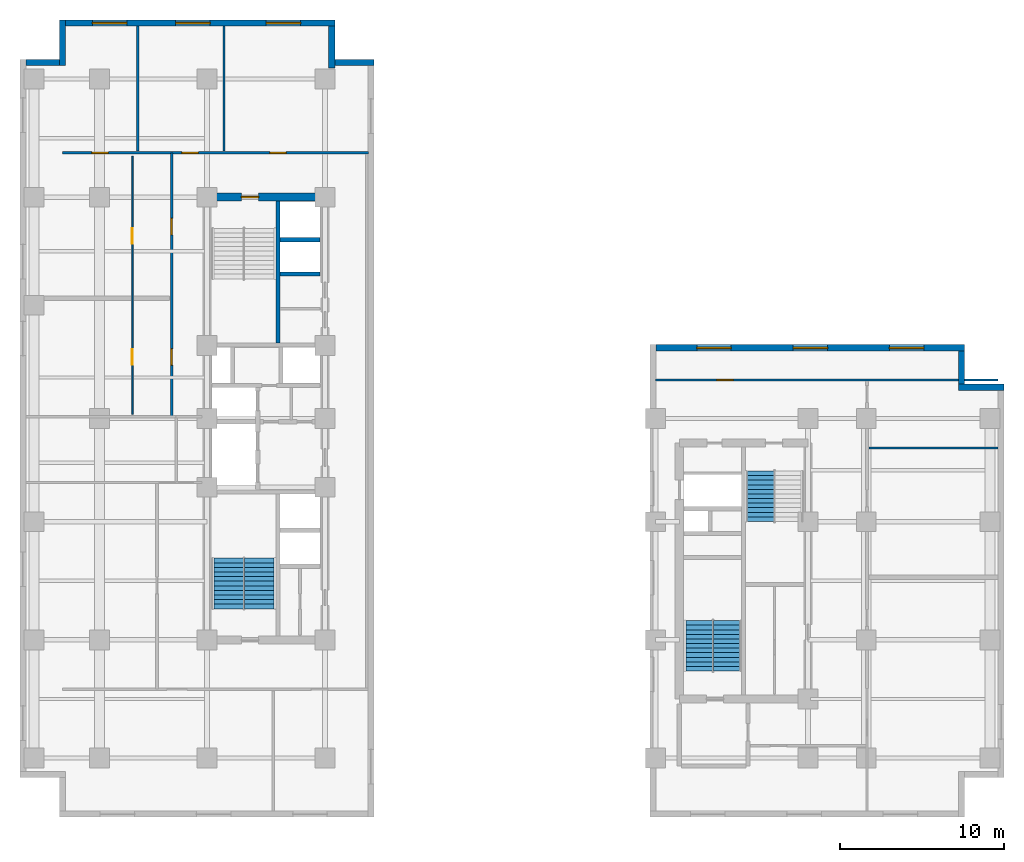
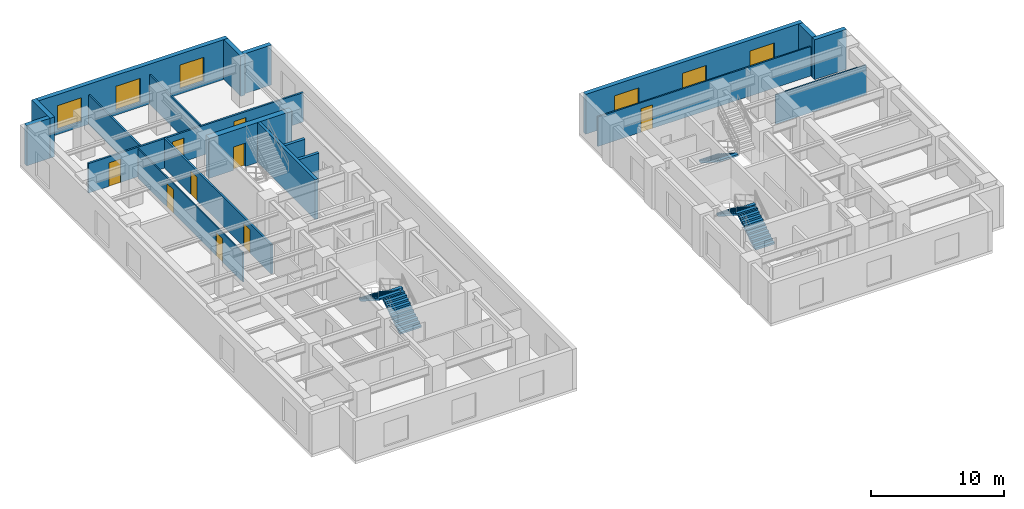
# One storey, part 5 of 9: 19 walls, 9 doors, 6 windows, 5 stair flights, 15 openings, 3 elements without a shape of their own.
"""IFC4 building model written with IfcOpenShell, lengths in metres."""

from ifc_helpers import new_model, entity, si_unit, converted_unit, direction, frame, origin_with_axes, origin_2d_with_axis, place, context, subcontext, project, spatial, polyline, rectangle, outline, extrude, material, layer, layer_set, type_object, element, fill, aggregate, save


model = new_model("IFC4")

# Units and contexts
model_context = context("Model", 3, precision=1e-05, world=origin_with_axes(), true_north=direction((0.0, 1.0)))
body_context = subcontext(model_context, "Body", "Model", "MODEL_VIEW")
ifc_project = project(units=[si_unit("LENGTHUNIT", "METRE"), si_unit("AREAUNIT", "SQUARE_METRE"), si_unit("VOLUMEUNIT", "CUBIC_METRE"), converted_unit("PLANEANGLEUNIT", "DEGREE", entity("IfcPlaneAngleMeasure", 0.017453292519943295), si_unit("PLANEANGLEUNIT", "RADIAN"), dimensions=[0, 0, 0, 0, 0, 0, 0]), si_unit("MASSUNIT", "GRAM", prefix="KILO"), si_unit("THERMODYNAMICTEMPERATUREUNIT", "KELVIN")], contexts=[model_context])

# Site, building, storey
site_placement = place(None, origin_with_axes())
site = spatial("IfcSite", under=ifc_project, at=site_placement, CompositionType="ELEMENT")
building_placement = place(site_placement, origin_with_axes())
building = spatial("IfcBuilding", under=site, at=building_placement, Name="Varnlund Millrace Tower", CompositionType="ELEMENT")
storey_placement = place(building_placement, frame((0.0, 0.0, 108.6), z_axis=(0.0, 0.0, 1.0), x_axis=(1.0, 0.0, 0.0)))
storey = spatial("IfcBuildingStorey", under=building, at=storey_placement, Name="L26", CompositionType="ELEMENT", Elevation=108.6)

# Wall, opening, door
ifc_material_1 = material(Name="Concrete C70/85", Category="concrete")
ifc_layer_1 = layer(ifc_material_1, 0.5, Name="Concrete C70/85")
ifc_layer_set_1 = layer_set([ifc_layer_1], Name="Concrete C70/85")
wall_type_1 = type_object("IfcWallType", Name="Type-CoreWall-Shear-500-C70", PredefinedType="SHEAR", material=ifc_layer_set_1)
wall_1_placement = place(storey_placement, frame((11.4, 37.8, 0.0), z_axis=(0.0, 0.0, 1.0), x_axis=(1.0, 0.0, 0.0)))
wall_1 = element("IfcWall", 1, at=wall_1_placement, inside=storey, type_object=wall_type_1, Name="Type-CoreWall-Shear-500-C70", PredefinedType="SHEAR", context=body_context, shape_type="SweptSolid", body=[
    extrude(outline(polyline([(0.0, -0.25), (7.2, -0.25), (7.2, 0.25), (0.0, 0.25), (0.0, -0.25)])), origin_with_axes(), (0.0, 0.0, 1.0), 3.66),
])
opening_1_placement = place(wall_1_placement, frame((2.625, 0.0, 0.0), z_axis=(0.0, 0.0, 1.0), x_axis=(1.0, 0.0, 0.0)))
opening_1 = element("IfcOpeningElement", 2, at=opening_1_placement, cuts=wall_1, Name="Opening L26:DR-STA2", PredefinedType="OPENING", context=body_context, shape_type="SweptSolid", body=[
    extrude(rectangle(XDim=1.05, YDim=0.52, at=origin_2d_with_axis()), origin_with_axes(), (0.0, 0.0, 1.0), 2.15),
])
ifc_material_2 = material(Name="Fire-rated hollow steel door", Category="steel")
door_type_1 = type_object("IfcDoorType", Name="Type-FireDoor-Stair-1050X2150", OperationType="NOTDEFINED", PredefinedType="DOOR", material=ifc_material_2)
door_1_placement = place(wall_1_placement, frame((2.625, 0.0, 0.0), z_axis=(0.0, 0.0, 1.0), x_axis=(1.0, 0.0, 0.0)))
door_1 = element("IfcDoor", 3, at=door_1_placement, inside=storey, type_object=door_type_1, Name="Type-FireDoor-Stair-1050X2150", OperationType="SINGLE_SWING_RIGHT", OverallHeight=2.15, OverallWidth=1.05, PredefinedType="DOOR", context=body_context, shape_type="SweptSolid", body=[
    extrude(rectangle(XDim=1.05, YDim=0.09, at=origin_2d_with_axis()), origin_with_axes(), (0.0, 0.0, 1.0), 2.15),
])
fill(opening_1, door_1)

# Walls
ifc_material_3 = material(Name="Precast concrete C50/60", Category="concrete")
ifc_layer_2 = layer(ifc_material_3, 0.38, Name="Precast concrete C50/60")
ifc_layer_set_2 = layer_set([ifc_layer_2], Name="Precast concrete C50/60")
wall_type_2 = type_object("IfcWallType", Name="Type-ExtWall-Precast-Tube-380", PredefinedType="SOLIDWALL", material=ifc_layer_set_2)
wall_2_placement = place(storey_placement, frame((0.38, 46.01, 0.0), z_axis=(0.0, 0.0, 1.0), x_axis=(1.0, 0.0, 0.0)))
element("IfcWall", 4, at=wall_2_placement, inside=storey, type_object=wall_type_2, Name="Type-ExtWall-Precast-Tube-380", PredefinedType="SOLIDWALL", context=body_context, shape_type="SweptSolid", body=[
    extrude(outline(polyline([(0.0, -0.19), (2.02, -0.19), (2.02, 0.19), (0.0, 0.19), (0.0, -0.19)])), origin_with_axes(), (0.0, 0.0, 1.0), 3.66),
])
wall_3_placement = place(storey_placement, frame((2.59, 45.82, 0.0), z_axis=(0.0, 0.0, 1.0), x_axis=(0.0, 1.0, 0.0)))
element("IfcWall", 5, at=wall_3_placement, inside=storey, type_object=wall_type_2, Name="Type-ExtWall-Precast-Tube-380", PredefinedType="SOLIDWALL", context=body_context, shape_type="SweptSolid", body=[
    extrude(outline(polyline([(0.0, -0.19), (2.78, -0.19), (2.78, 0.19), (0.0, 0.19), (0.0, -0.19)])), origin_with_axes(), (0.0, 0.0, 1.0), 3.66),
])

# Wall, openings, windows
wall_4_placement = place(storey_placement, frame((2.78, 48.41, 0.0), z_axis=(0.0, 0.0, 1.0), x_axis=(1.0, 0.0, 0.0)))
wall_4 = element("IfcWall", 6, at=wall_4_placement, inside=storey, type_object=wall_type_2, Name="Type-ExtWall-Precast-Tube-380", PredefinedType="SOLIDWALL", context=body_context, shape_type="SweptSolid", body=[
    extrude(outline(polyline([(0.0, -0.19), (16.42, -0.19), (16.42, 0.19), (0.0, 0.19), (0.0, -0.19)])), origin_with_axes(), (0.0, 0.0, 1.0), 3.66),
])
opening_2_placement = place(wall_4_placement, frame((2.687, 0.0, 0.45), z_axis=(0.0, 0.0, 1.0), x_axis=(1.0, 0.0, 0.0)))
opening_2 = element("IfcOpeningElement", 7, at=opening_2_placement, cuts=wall_4, Name="Opening L26:WN-06", PredefinedType="OPENING", context=body_context, shape_type="SweptSolid", body=[
    extrude(rectangle(XDim=2.1, YDim=0.4, at=origin_2d_with_axis()), origin_with_axes(), (0.0, 0.0, 1.0), 2.2),
])
opening_3_placement = place(wall_4_placement, frame((7.76, 0.0, 0.45), z_axis=(0.0, 0.0, 1.0), x_axis=(1.0, 0.0, 0.0)))
opening_3 = element("IfcOpeningElement", 8, at=opening_3_placement, cuts=wall_4, Name="Opening L26:WN-07", PredefinedType="OPENING", context=body_context, shape_type="SweptSolid", body=[
    extrude(rectangle(XDim=2.1, YDim=0.4, at=origin_2d_with_axis()), origin_with_axes(), (0.0, 0.0, 1.0), 2.2),
])
opening_4_placement = place(wall_4_placement, frame((13.283, 0.0, 0.45), z_axis=(0.0, 0.0, 1.0), x_axis=(1.0, 0.0, 0.0)))
opening_4 = element("IfcOpeningElement", 9, at=opening_4_placement, cuts=wall_4, Name="Opening L26:WN-08", PredefinedType="OPENING", context=body_context, shape_type="SweptSolid", body=[
    extrude(rectangle(XDim=2.1, YDim=0.4, at=origin_2d_with_axis()), origin_with_axes(), (0.0, 0.0, 1.0), 2.2),
])
ifc_material_4 = material(Name="Argon low-e triple glazing in thermally broken bronze frame", Category="glass")
window_type = type_object("IfcWindowType", Name="Type-Window-Punched-2100X2200", PartitioningType="SINGLE_PANEL", PredefinedType="WINDOW", material=ifc_material_4)
window_1_placement = place(wall_4_placement, frame((2.687, 0.0, 0.45), z_axis=(0.0, 0.0, 1.0), x_axis=(1.0, 0.0, 0.0)))
window_1 = element("IfcWindow", 10, at=window_1_placement, inside=storey, type_object=window_type, Name="Type-Window-Punched-2100X2200", OverallHeight=2.2, OverallWidth=2.1, PredefinedType="WINDOW", context=body_context, shape_type="SweptSolid", body=[
    extrude(rectangle(XDim=2.1, YDim=0.09, at=origin_2d_with_axis()), origin_with_axes(), (0.0, 0.0, 1.0), 2.2),
])
fill(opening_2, window_1)
window_2_placement = place(wall_4_placement, frame((7.76, 0.0, 0.45), z_axis=(0.0, 0.0, 1.0), x_axis=(1.0, 0.0, 0.0)))
window_2 = element("IfcWindow", 11, at=window_2_placement, inside=storey, type_object=window_type, Name="Type-Window-Punched-2100X2200", OverallHeight=2.2, OverallWidth=2.1, PredefinedType="WINDOW", context=body_context, shape_type="SweptSolid", body=[
    extrude(rectangle(XDim=2.1, YDim=0.09, at=origin_2d_with_axis()), origin_with_axes(), (0.0, 0.0, 1.0), 2.2),
])
fill(opening_3, window_2)
window_3_placement = place(wall_4_placement, frame((13.283, 0.0, 0.45), z_axis=(0.0, 0.0, 1.0), x_axis=(1.0, 0.0, 0.0)))
window_3 = element("IfcWindow", 12, at=window_3_placement, inside=storey, type_object=window_type, Name="Type-Window-Punched-2100X2200", OverallHeight=2.2, OverallWidth=2.1, PredefinedType="WINDOW", context=body_context, shape_type="SweptSolid", body=[
    extrude(rectangle(XDim=2.1, YDim=0.09, at=origin_2d_with_axis()), origin_with_axes(), (0.0, 0.0, 1.0), 2.2),
])
fill(opening_4, window_3)

# Walls
wall_5_placement = place(storey_placement, frame((19.01, 48.22, 0.0), z_axis=(0.0, 0.0, 1.0), x_axis=(0.0, -1.0, 0.0)))
element("IfcWall", 13, at=wall_5_placement, inside=storey, type_object=wall_type_2, Name="Type-ExtWall-Precast-Tube-380", PredefinedType="SOLIDWALL", context=body_context, shape_type="SweptSolid", body=[
    extrude(outline(polyline([(0.0, -0.19), (2.56, -0.19), (2.56, 0.19), (0.0, 0.19), (0.0, -0.19)])), origin_with_axes(), (0.0, 0.0, 1.0), 3.66),
])
wall_6_placement = place(storey_placement, frame((18.82, 46.01, 0.0), z_axis=(0.0, 0.0, 1.0), x_axis=(1.0, 0.0, 0.0)))
element("IfcWall", 14, at=wall_6_placement, inside=storey, type_object=wall_type_2, Name="Type-ExtWall-Precast-Tube-380", PredefinedType="SOLIDWALL", context=body_context, shape_type="SweptSolid", body=[
    extrude(outline(polyline([(0.0, -0.19), (2.78, -0.19), (2.78, 0.19), (0.0, 0.19), (0.0, -0.19)])), origin_with_axes(), (0.0, 0.0, 1.0), 3.66),
])

# Wall, openings, windows
wall_7_placement = place(storey_placement, frame((38.78, 28.61, 0.0), z_axis=(0.0, 0.0, 1.0), x_axis=(1.0, 0.0, 0.0)))
wall_7 = element("IfcWall", 15, at=wall_7_placement, inside=storey, type_object=wall_type_2, Name="Type-ExtWall-Precast-Tube-380", PredefinedType="SOLIDWALL", context=body_context, shape_type="SweptSolid", body=[
    extrude(outline(polyline([(0.0, -0.19), (18.82, -0.19), (18.82, 0.19), (0.0, 0.19), (0.0, -0.19)])), origin_with_axes(), (0.0, 0.0, 1.0), 3.66),
])
opening_5_placement = place(wall_7_placement, frame((3.537, 0.0, 0.45), z_axis=(0.0, 0.0, 1.0), x_axis=(1.0, 0.0, 0.0)))
opening_5 = element("IfcOpeningElement", 16, at=opening_5_placement, cuts=wall_7, Name="Opening L26:WN-14", PredefinedType="OPENING", context=body_context, shape_type="SweptSolid", body=[
    extrude(rectangle(XDim=2.1, YDim=0.4, at=origin_2d_with_axis()), origin_with_axes(), (0.0, 0.0, 1.0), 2.2),
])
opening_6_placement = place(wall_7_placement, frame((9.41, 0.0, 0.45), z_axis=(0.0, 0.0, 1.0), x_axis=(1.0, 0.0, 0.0)))
opening_6 = element("IfcOpeningElement", 17, at=opening_6_placement, cuts=wall_7, Name="Opening L26:WN-15", PredefinedType="OPENING", context=body_context, shape_type="SweptSolid", body=[
    extrude(rectangle(XDim=2.1, YDim=0.4, at=origin_2d_with_axis()), origin_with_axes(), (0.0, 0.0, 1.0), 2.2),
])
opening_7_placement = place(wall_7_placement, frame((15.283, 0.0, 0.45), z_axis=(0.0, 0.0, 1.0), x_axis=(1.0, 0.0, 0.0)))
opening_7 = element("IfcOpeningElement", 18, at=opening_7_placement, cuts=wall_7, Name="Opening L26:WN-16", PredefinedType="OPENING", context=body_context, shape_type="SweptSolid", body=[
    extrude(rectangle(XDim=2.1, YDim=0.4, at=origin_2d_with_axis()), origin_with_axes(), (0.0, 0.0, 1.0), 2.2),
])
window_4_placement = place(wall_7_placement, frame((3.537, 0.0, 0.45), z_axis=(0.0, 0.0, 1.0), x_axis=(1.0, 0.0, 0.0)))
window_4 = element("IfcWindow", 19, at=window_4_placement, inside=storey, type_object=window_type, Name="Type-Window-Punched-2100X2200", OverallHeight=2.2, OverallWidth=2.1, PredefinedType="WINDOW", context=body_context, shape_type="SweptSolid", body=[
    extrude(rectangle(XDim=2.1, YDim=0.09, at=origin_2d_with_axis()), origin_with_axes(), (0.0, 0.0, 1.0), 2.2),
])
fill(opening_5, window_4)
window_5_placement = place(wall_7_placement, frame((9.41, 0.0, 0.45), z_axis=(0.0, 0.0, 1.0), x_axis=(1.0, 0.0, 0.0)))
window_5 = element("IfcWindow", 20, at=window_5_placement, inside=storey, type_object=window_type, Name="Type-Window-Punched-2100X2200", OverallHeight=2.2, OverallWidth=2.1, PredefinedType="WINDOW", context=body_context, shape_type="SweptSolid", body=[
    extrude(rectangle(XDim=2.1, YDim=0.09, at=origin_2d_with_axis()), origin_with_axes(), (0.0, 0.0, 1.0), 2.2),
])
fill(opening_6, window_5)
window_6_placement = place(wall_7_placement, frame((15.283, 0.0, 0.45), z_axis=(0.0, 0.0, 1.0), x_axis=(1.0, 0.0, 0.0)))
window_6 = element("IfcWindow", 21, at=window_6_placement, inside=storey, type_object=window_type, Name="Type-Window-Punched-2100X2200", OverallHeight=2.2, OverallWidth=2.1, PredefinedType="WINDOW", context=body_context, shape_type="SweptSolid", body=[
    extrude(rectangle(XDim=2.1, YDim=0.09, at=origin_2d_with_axis()), origin_with_axes(), (0.0, 0.0, 1.0), 2.2),
])
fill(opening_7, window_6)

# Walls
wall_8_placement = place(storey_placement, frame((57.41, 28.42, 0.0), z_axis=(0.0, 0.0, 1.0), x_axis=(0.0, -1.0, 0.0)))
element("IfcWall", 22, at=wall_8_placement, inside=storey, type_object=wall_type_2, Name="Type-ExtWall-Precast-Tube-380", PredefinedType="SOLIDWALL", context=body_context, shape_type="SweptSolid", body=[
    extrude(outline(polyline([(0.0, -0.19), (2.02, -0.19), (2.02, 0.19), (0.0, 0.19), (0.0, -0.19)])), origin_with_axes(), (0.0, 0.0, 1.0), 3.66),
])
wall_9_placement = place(storey_placement, frame((57.22, 26.21, 0.0), z_axis=(0.0, 0.0, 1.0), x_axis=(1.0, 0.0, 0.0)))
element("IfcWall", 23, at=wall_9_placement, inside=storey, type_object=wall_type_2, Name="Type-ExtWall-Precast-Tube-380", PredefinedType="SOLIDWALL", context=body_context, shape_type="SweptSolid", body=[
    extrude(outline(polyline([(0.0, -0.19), (2.78, -0.19), (2.78, 0.19), (0.0, 0.19), (0.0, -0.19)])), origin_with_axes(), (0.0, 0.0, 1.0), 3.66),
])

# Wall, openings, doors
ifc_material_5 = material(Name="Fire-rated gypsum board on cold-formed steel framing", Category="steel")
ifc_layer_3 = layer(ifc_material_5, 0.16, Name="Fire-rated gypsum board on cold-formed steel framing")
ifc_layer_set_3 = layer_set([ifc_layer_3], Name="Fire-rated gypsum board on cold-formed steel framing")
wall_type_3 = type_object("IfcWallType", Name="Type-Partition-Corridor-160", PredefinedType="PARTITIONING", material=ifc_layer_set_3)
wall_10_placement = place(storey_placement, frame((2.6, 40.5, 0.0), z_axis=(0.0, 0.0, 1.0), x_axis=(1.0, 0.0, 0.0)))
wall_10 = element("IfcWall", 24, at=wall_10_placement, inside=storey, type_object=wall_type_3, Name="Type-Partition-Corridor-160", PredefinedType="PARTITIONING", context=body_context, shape_type="SweptSolid", body=[
    extrude(outline(polyline([(0.0, -0.08), (18.65, -0.08), (18.65, 0.08), (0.0, 0.08), (0.0, -0.08)])), origin_with_axes(), (0.0, 0.0, 1.0), 2.7),
])
opening_8_placement = place(wall_10_placement, frame((2.2825, 0.0, 0.0), z_axis=(0.0, 0.0, 1.0), x_axis=(1.0, 0.0, 0.0)))
opening_8 = element("IfcOpeningElement", 25, at=opening_8_placement, cuts=wall_10, Name="Opening L26:DR-WAN-01", PredefinedType="OPENING", context=body_context, shape_type="SweptSolid", body=[
    extrude(rectangle(XDim=1.0, YDim=0.18, at=origin_2d_with_axis()), origin_with_axes(), (0.0, 0.0, 1.0), 2.15),
])
opening_9_placement = place(wall_10_placement, frame((7.769, 0.0, 0.0), z_axis=(0.0, 0.0, 1.0), x_axis=(1.0, 0.0, 0.0)))
opening_9 = element("IfcOpeningElement", 26, at=opening_9_placement, cuts=wall_10, Name="Opening L26:DR-WAN-02", PredefinedType="OPENING", context=body_context, shape_type="SweptSolid", body=[
    extrude(rectangle(XDim=1.0, YDim=0.18, at=origin_2d_with_axis()), origin_with_axes(), (0.0, 0.0, 1.0), 2.15),
])
opening_10_placement = place(wall_10_placement, frame((13.1315, 0.0, 0.0), z_axis=(0.0, 0.0, 1.0), x_axis=(1.0, 0.0, 0.0)))
opening_10 = element("IfcOpeningElement", 27, at=opening_10_placement, cuts=wall_10, Name="Opening L26:DR-WAN-03", PredefinedType="OPENING", context=body_context, shape_type="SweptSolid", body=[
    extrude(rectangle(XDim=1.0, YDim=0.18, at=origin_2d_with_axis()), origin_with_axes(), (0.0, 0.0, 1.0), 2.15),
])
ifc_material_6 = material(Name="Solid-core white oak and bronze frame door")
door_type_2 = type_object("IfcDoorType", Name="Type-IntDoor-Office-1000X2150", OperationType="NOTDEFINED", PredefinedType="DOOR", material=ifc_material_6)
door_2_placement = place(wall_10_placement, frame((2.2825, 0.0, 0.0), z_axis=(0.0, 0.0, 1.0), x_axis=(1.0, 0.0, 0.0)))
door_2 = element("IfcDoor", 28, at=door_2_placement, inside=storey, type_object=door_type_2, Name="Type-IntDoor-Office-1000X2150", OperationType="SINGLE_SWING_LEFT", OverallHeight=2.15, OverallWidth=1.0, PredefinedType="DOOR", context=body_context, shape_type="SweptSolid", body=[
    extrude(rectangle(XDim=1.0, YDim=0.09, at=origin_2d_with_axis()), origin_with_axes(), (0.0, 0.0, 1.0), 2.15),
])
fill(opening_8, door_2)
door_3_placement = place(wall_10_placement, frame((7.769, 0.0, 0.0), z_axis=(0.0, 0.0, 1.0), x_axis=(1.0, 0.0, 0.0)))
door_3 = element("IfcDoor", 29, at=door_3_placement, inside=storey, type_object=door_type_2, Name="Type-IntDoor-Office-1000X2150", OperationType="SINGLE_SWING_RIGHT", OverallHeight=2.15, OverallWidth=1.0, PredefinedType="DOOR", context=body_context, shape_type="SweptSolid", body=[
    extrude(rectangle(XDim=1.0, YDim=0.09, at=origin_2d_with_axis()), origin_with_axes(), (0.0, 0.0, 1.0), 2.15),
])
fill(opening_9, door_3)
door_4_placement = place(wall_10_placement, frame((13.1315, 0.0, 0.0), z_axis=(0.0, 0.0, 1.0), x_axis=(1.0, 0.0, 0.0)))
door_4 = element("IfcDoor", 30, at=door_4_placement, inside=storey, type_object=door_type_2, Name="Type-IntDoor-Office-1000X2150", OperationType="SINGLE_SWING_LEFT", OverallHeight=2.15, OverallWidth=1.0, PredefinedType="DOOR", context=body_context, shape_type="SweptSolid", body=[
    extrude(rectangle(XDim=1.0, YDim=0.09, at=origin_2d_with_axis()), origin_with_axes(), (0.0, 0.0, 1.0), 2.15),
])
fill(opening_10, door_4)

wall_11_placement = place(storey_placement, frame((9.25, 24.4, 0.0), z_axis=(0.0, 0.0, 1.0), x_axis=(0.0, 1.0, 0.0)))
wall_11 = element("IfcWall", 31, at=wall_11_placement, inside=storey, type_object=wall_type_3, Name="Type-Partition-Corridor-160", PredefinedType="PARTITIONING", context=body_context, shape_type="SweptSolid", body=[
    extrude(outline(polyline([(0.0, -0.08), (16.1, -0.08), (16.1, 0.08), (0.0, 0.08), (0.0, -0.08)])), origin_with_axes(), (0.0, 0.0, 1.0), 2.7),
])
opening_11_placement = place(wall_11_placement, frame((3.6515, 0.0, 0.0), z_axis=(0.0, 0.0, 1.0), x_axis=(1.0, 0.0, 0.0)))
opening_11 = element("IfcOpeningElement", 32, at=opening_11_placement, cuts=wall_11, Name="Opening L26:DR-WN-01", PredefinedType="OPENING", context=body_context, shape_type="SweptSolid", body=[
    extrude(rectangle(XDim=1.0, YDim=0.18, at=origin_2d_with_axis()), origin_with_axes(), (0.0, 0.0, 1.0), 2.15),
])
opening_12_placement = place(wall_11_placement, frame((11.5965, 0.0, 0.0), z_axis=(0.0, 0.0, 1.0), x_axis=(1.0, 0.0, 0.0)))
opening_12 = element("IfcOpeningElement", 33, at=opening_12_placement, cuts=wall_11, Name="Opening L26:DR-WN-02", PredefinedType="OPENING", context=body_context, shape_type="SweptSolid", body=[
    extrude(rectangle(XDim=1.0, YDim=0.18, at=origin_2d_with_axis()), origin_with_axes(), (0.0, 0.0, 1.0), 2.15),
])
door_5_placement = place(wall_11_placement, frame((3.6515, 0.0, 0.0), z_axis=(0.0, 0.0, 1.0), x_axis=(1.0, 0.0, 0.0)))
door_5 = element("IfcDoor", 34, at=door_5_placement, inside=storey, type_object=door_type_2, Name="Type-IntDoor-Office-1000X2150", OperationType="SINGLE_SWING_LEFT", OverallHeight=2.15, OverallWidth=1.0, PredefinedType="DOOR", context=body_context, shape_type="SweptSolid", body=[
    extrude(rectangle(XDim=1.0, YDim=0.09, at=origin_2d_with_axis()), origin_with_axes(), (0.0, 0.0, 1.0), 2.15),
])
fill(opening_11, door_5)
door_6_placement = place(wall_11_placement, frame((11.5965, 0.0, 0.0), z_axis=(0.0, 0.0, 1.0), x_axis=(1.0, 0.0, 0.0)))
door_6 = element("IfcDoor", 35, at=door_6_placement, inside=storey, type_object=door_type_2, Name="Type-IntDoor-Office-1000X2150", OperationType="SINGLE_SWING_RIGHT", OverallHeight=2.15, OverallWidth=1.0, PredefinedType="DOOR", context=body_context, shape_type="SweptSolid", body=[
    extrude(rectangle(XDim=1.0, YDim=0.09, at=origin_2d_with_axis()), origin_with_axes(), (0.0, 0.0, 1.0), 2.15),
])
fill(opening_12, door_6)

# Wall
ifc_material_7 = material(Name="Acoustic STC-50 gypsum board partition", Category="gypsum")
ifc_layer_4 = layer(ifc_material_7, 0.15, Name="Acoustic STC-50 gypsum board partition")
ifc_layer_set_4 = layer_set([ifc_layer_4], Name="Acoustic STC-50 gypsum board partition")
wall_type_4 = type_object("IfcWallType", Name="Type-Partition-Demising-150", PredefinedType="PARTITIONING", material=ifc_layer_set_4)
wall_12_placement = place(storey_placement, frame((7.175, 40.6, 0.0), z_axis=(0.0, 0.0, 1.0), x_axis=(0.0, 1.0, 0.0)))
element("IfcWall", 36, at=wall_12_placement, inside=storey, type_object=wall_type_4, Name="Type-Partition-Demising-150", PredefinedType="PARTITIONING", context=body_context, shape_type="SweptSolid", body=[
    extrude(outline(polyline([(0.0, -0.075), (7.64, -0.075), (7.64, 0.075), (0.0, 0.075), (0.0, -0.075)])), origin_with_axes(), (0.0, 0.0, 1.0), 2.7),
])

# Wall, openings, doors
ifc_material_8 = material(Name="Architectural bronze and acoustic glass office front", Category="glass")
ifc_layer_5 = layer(ifc_material_8, 0.1, Name="Architectural bronze and acoustic glass office front")
ifc_layer_set_5 = layer_set([ifc_layer_5], Name="Architectural bronze and acoustic glass office front")
wall_type_5 = type_object("IfcWallType", Name="Type-Partition-Glazed-100", PredefinedType="PARTITIONING", material=ifc_layer_set_5)
wall_13_placement = place(storey_placement, frame((6.85, 24.55, 0.0), z_axis=(0.0, 0.0, 1.0), x_axis=(0.0, 1.0, 0.0)))
wall_13 = element("IfcWall", 37, at=wall_13_placement, inside=storey, type_object=wall_type_5, Name="Type-Partition-Glazed-100", PredefinedType="PARTITIONING", context=body_context, shape_type="SweptSolid", body=[
    extrude(outline(polyline([(0.0, -0.05), (15.75, -0.05), (15.75, 0.05), (0.0, 0.05), (0.0, -0.05)])), origin_with_axes(), (0.0, 0.0, 1.0), 2.7),
])
opening_13_placement = place(wall_13_placement, frame((3.5015, 0.0, 0.0), z_axis=(0.0, 0.0, 1.0), x_axis=(1.0, 0.0, 0.0)))
opening_13 = element("IfcOpeningElement", 38, at=opening_13_placement, cuts=wall_13, Name="Opening L26:DR-WN-S01", PredefinedType="OPENING", context=body_context, shape_type="SweptSolid", body=[
    extrude(rectangle(XDim=0.95, YDim=0.12, at=origin_2d_with_axis()), origin_with_axes(), (0.0, 0.0, 1.0), 2.15),
])
opening_14_placement = place(wall_13_placement, frame((10.886, 0.0, 0.0), z_axis=(0.0, 0.0, 1.0), x_axis=(1.0, 0.0, 0.0)))
opening_14 = element("IfcOpeningElement", 39, at=opening_14_placement, cuts=wall_13, Name="Opening L26:DR-WN-S02", PredefinedType="OPENING", context=body_context, shape_type="SweptSolid", body=[
    extrude(rectangle(XDim=0.95, YDim=0.12, at=origin_2d_with_axis()), origin_with_axes(), (0.0, 0.0, 1.0), 2.15),
])
ifc_material_9 = material(Name="Solid-core acoustic office door")
door_type_3 = type_object("IfcDoorType", Name="Type-IntDoor-Tenant-950X2150", OperationType="NOTDEFINED", PredefinedType="DOOR", material=ifc_material_9)
door_7_placement = place(wall_13_placement, frame((3.5015, 0.0, 0.0), z_axis=(0.0, 0.0, 1.0), x_axis=(1.0, 0.0, 0.0)))
door_7 = element("IfcDoor", 40, at=door_7_placement, inside=storey, type_object=door_type_3, Name="Type-IntDoor-Tenant-950X2150", OperationType="SINGLE_SWING_LEFT", OverallHeight=2.15, OverallWidth=0.95, PredefinedType="DOOR", context=body_context, shape_type="SweptSolid", body=[
    extrude(rectangle(XDim=0.95, YDim=0.06, at=origin_2d_with_axis()), origin_with_axes(), (0.0, 0.0, 1.0), 2.15),
])
fill(opening_13, door_7)
door_8_placement = place(wall_13_placement, frame((10.886, 0.0, 0.0), z_axis=(0.0, 0.0, 1.0), x_axis=(1.0, 0.0, 0.0)))
door_8 = element("IfcDoor", 41, at=door_8_placement, inside=storey, type_object=door_type_3, Name="Type-IntDoor-Tenant-950X2150", OperationType="SINGLE_SWING_LEFT", OverallHeight=2.15, OverallWidth=0.95, PredefinedType="DOOR", context=body_context, shape_type="SweptSolid", body=[
    extrude(rectangle(XDim=0.95, YDim=0.06, at=origin_2d_with_axis()), origin_with_axes(), (0.0, 0.0, 1.0), 2.15),
])
fill(opening_14, door_8)

# Wall
ifc_material_10 = material(Name="Gypsum board tenant partition", Category="gypsum")
ifc_layer_6 = layer(ifc_material_10, 0.125, Name="Gypsum board tenant partition")
ifc_layer_set_6 = layer_set([ifc_layer_6], Name="Gypsum board tenant partition")
wall_type_6 = type_object("IfcWallType", Name="Type-Partition-Tenant-125", PredefinedType="PARTITIONING", material=ifc_layer_set_6)
wall_14_placement = place(storey_placement, frame((12.443, 40.6, 0.0), z_axis=(0.0, 0.0, 1.0), x_axis=(0.0, 1.0, 0.0)))
element("IfcWall", 42, at=wall_14_placement, inside=storey, type_object=wall_type_6, Name="Type-Partition-Tenant-125", PredefinedType="PARTITIONING", context=body_context, shape_type="SweptSolid", body=[
    extrude(outline(polyline([(0.0, -0.0625), (7.64, -0.0625), (7.64, 0.0625), (0.0, 0.0625), (0.0, -0.0625)])), origin_with_axes(), (0.0, 0.0, 1.0), 2.7),
])

# Wall, opening, door
wall_15_placement = place(storey_placement, frame((38.76, 26.65, 0.0), z_axis=(0.0, 0.0, 1.0), x_axis=(1.0, 0.0, 0.0)))
wall_15 = element("IfcWall", 43, at=wall_15_placement, inside=storey, type_object=wall_type_6, Name="Type-Partition-Tenant-125", PredefinedType="PARTITIONING", context=body_context, shape_type="SweptSolid", body=[
    extrude(outline(polyline([(0.0, -0.0625), (20.88, -0.0625), (20.88, 0.0625), (0.0, 0.0625), (0.0, -0.0625)])), origin_with_axes(), (0.0, 0.0, 1.0), 2.7),
])
opening_15_placement = place(wall_15_placement, frame((4.24, 0.0, 0.0), z_axis=(0.0, 0.0, 1.0), x_axis=(1.0, 0.0, 0.0)))
opening_15 = element("IfcOpeningElement", 44, at=opening_15_placement, cuts=wall_15, Name="Opening L26:DR-WBN-01", PredefinedType="OPENING", context=body_context, shape_type="SweptSolid", body=[
    extrude(rectangle(XDim=1.0, YDim=0.145, at=origin_2d_with_axis()), origin_with_axes(), (0.0, 0.0, 1.0), 2.15),
])
door_9_placement = place(wall_15_placement, frame((4.24, 0.0, 0.0), z_axis=(0.0, 0.0, 1.0), x_axis=(1.0, 0.0, 0.0)))
door_9 = element("IfcDoor", 45, at=door_9_placement, inside=storey, type_object=door_type_2, Name="Type-IntDoor-Office-1000X2150", OperationType="SINGLE_SWING_RIGHT", OverallHeight=2.15, OverallWidth=1.0, PredefinedType="DOOR", context=body_context, shape_type="SweptSolid", body=[
    extrude(rectangle(XDim=1.0, YDim=0.075, at=origin_2d_with_axis()), origin_with_axes(), (0.0, 0.0, 1.0), 2.15),
])
fill(opening_15, door_9)

# Walls
wall_16_placement = place(storey_placement, frame((51.77, 22.492, 0.0), z_axis=(0.0, 0.0, 1.0), x_axis=(1.0, 0.0, 0.0)))
element("IfcWall", 46, at=wall_16_placement, inside=storey, type_object=wall_type_6, Name="Type-Partition-Tenant-125", PredefinedType="PARTITIONING", context=body_context, shape_type="SweptSolid", body=[
    extrude(outline(polyline([(0.0, -0.0625), (7.855, -0.0625), (7.855, 0.0625), (0.0, 0.0625), (0.0, -0.0625)])), origin_with_axes(), (0.0, 0.0, 1.0), 2.7),
])
ifc_material_11 = material(Name="Concrete C60/75", Category="concrete")
ifc_layer_7 = layer(ifc_material_11, 0.25, Name="Concrete C60/75")
ifc_layer_set_7 = layer_set([ifc_layer_7], Name="Concrete C60/75")
wall_type_7 = type_object("IfcWallType", Name="Type-ShaftWall-Fire-250", PredefinedType="SOLIDWALL", material=ifc_layer_set_7)
for number, where, z_axis, x_axis, name in (
    (47, (15.84, 33.1, 0.0), (0.0, 0.0, 1.0), (1.0, 0.0, 0.0), "Type-ShaftWall-Fire-250"),
    (48, (15.84, 35.2, 0.0), (0.0, 0.0, 1.0), (1.0, 0.0, 0.0), "Type-ShaftWall-Fire-250"),
):
    element("IfcWall", number, at=place(storey_placement, frame(where, z_axis=z_axis, x_axis=x_axis)), inside=storey, type_object=wall_type_7, Name=name, PredefinedType="SOLIDWALL", context=body_context, shape_type="SweptSolid", body=[
        extrude(outline(polyline([(0.0, -0.125), (2.46, -0.125), (2.46, 0.125), (0.0, 0.125), (0.0, -0.125)])), origin_with_axes(), (0.0, 0.0, 1.0), 2.7),
    ])
wall_type_8 = type_object("IfcWallType", Name="Type-StairWall-Shear-250", PredefinedType="SHEAR", material=ifc_layer_set_7)
wall_17_placement = place(storey_placement, frame((15.725, 28.9, 0.0), z_axis=(0.0, 0.0, 1.0), x_axis=(0.0, 1.0, 0.0)))
element("IfcWall", 49, at=wall_17_placement, inside=storey, type_object=wall_type_8, Name="Type-StairWall-Shear-250", PredefinedType="SHEAR", context=body_context, shape_type="SweptSolid", body=[
    extrude(outline(polyline([(0.0, -0.125), (8.65, -0.125), (8.65, 0.125), (0.0, 0.125), (0.0, -0.125)])), origin_with_axes(), (0.0, 0.0, 1.0), 3.66),
])

# Stair, stair flights
ifc_material_12 = material(Name="Concrete C50/60", Category="concrete")
stair_type_1 = type_object("IfcStairType", Name="Type-Stair-Dogleg-165-390", PredefinedType="HALF_TURN_STAIR", material=ifc_material_12)
stair_1_placement = place(storey_placement, origin_with_axes())
stair_1 = element("IfcStair", 50, at=stair_1_placement, inside=storey, type_object=stair_type_1, Name="Type-Stair-Dogleg-165-390", PredefinedType="HALF_TURN_STAIR")
stair_flight_type_1 = type_object("IfcStairFlightType", Name="Type-Dogleg-Run-165-390", PredefinedType="STRAIGHT", material=ifc_material_3)
stair_flight_1_placement = place(storey_placement, frame((42.225, 8.9, 0.0), z_axis=(1.0, 0.0, 0.0), x_axis=(0.0, 1.0, 0.0)))
stair_flight_1 = element("IfcStairFlight", 51, at=stair_flight_1_placement, type_object=stair_flight_type_1, Name="ST-B1 flight 1", NumberOfRisers=11, NumberOfTreads=11, PredefinedType="STRAIGHT", RiserHeight=0.177273, TreadLength=0.28, context=body_context, shape_type="SweptSolid", body=[
    extrude(outline(polyline([(0.0, 0.0), (0.0, 0.177273), (0.28, 0.177273), (0.28, 0.354545), (0.56, 0.354545), (0.56, 0.531818), (0.84, 0.531818), (0.84, 0.709091), (1.12, 0.709091), (1.12, 0.886364), (1.4, 0.886364), (1.4, 1.063636), (1.68, 1.063636), (1.68, 1.240909), (1.96, 1.240909), (1.96, 1.418182), (2.24, 1.418182), (2.24, 1.595454), (2.52, 1.595454), (2.52, 1.772727), (2.8, 1.772727), (2.8, 1.95), (3.08, 1.95), (3.08, 1.8), (0.28, 0.0), (0.0, 0.0)])), origin_with_axes(), (0.0, 0.0, 1.0), 1.65),
])
stair_flight_2_placement = place(storey_placement, frame((42.275, 11.98, 1.95), z_axis=(-1.0, 0.0, 0.0), x_axis=(0.0, -1.0, 0.0)))
stair_flight_2 = element("IfcStairFlight", 52, at=stair_flight_2_placement, type_object=stair_flight_type_1, Name="ST-B1 flight 2", NumberOfRisers=11, NumberOfTreads=11, PredefinedType="STRAIGHT", RiserHeight=0.177273, TreadLength=0.28, context=body_context, shape_type="SweptSolid", body=[
    extrude(outline(polyline([(0.0, 0.0), (0.0, 0.177273), (0.28, 0.177273), (0.28, 0.354545), (0.56, 0.354545), (0.56, 0.531818), (0.84, 0.531818), (0.84, 0.709091), (1.12, 0.709091), (1.12, 0.886364), (1.4, 0.886364), (1.4, 1.063636), (1.68, 1.063636), (1.68, 1.240909), (1.96, 1.240909), (1.96, 1.418182), (2.24, 1.418182), (2.24, 1.595454), (2.52, 1.595454), (2.52, 1.772727), (2.8, 1.772727), (2.8, 1.95), (3.08, 1.95), (3.08, 1.8), (0.28, 0.0), (0.0, 0.0)])), origin_with_axes(), (0.0, 0.0, 1.0), 1.65),
])
aggregate(stair_1, [stair_flight_1, stair_flight_2])

# Stair, stair flight
stair_2_placement = place(storey_placement, origin_with_axes())
stair_2 = element("IfcStair", 53, at=stair_2_placement, inside=storey, type_object=stair_type_1, Name="Type-Stair-Dogleg-165-390", PredefinedType="HALF_TURN_STAIR")
stair_flight_3_placement = place(storey_placement, frame((46.025, 21.1, 0.0), z_axis=(-1.0, 0.0, 0.0), x_axis=(0.0, -1.0, 0.0)))
stair_flight_3 = element("IfcStairFlight", 54, at=stair_flight_3_placement, type_object=stair_flight_type_1, Name="ST-B2 flight 1", NumberOfRisers=11, NumberOfTreads=11, PredefinedType="STRAIGHT", RiserHeight=0.177273, TreadLength=0.28, context=body_context, shape_type="SweptSolid", body=[
    extrude(outline(polyline([(0.0, 0.0), (0.0, 0.177273), (0.28, 0.177273), (0.28, 0.354545), (0.56, 0.354545), (0.56, 0.531818), (0.84, 0.531818), (0.84, 0.709091), (1.12, 0.709091), (1.12, 0.886364), (1.4, 0.886364), (1.4, 1.063636), (1.68, 1.063636), (1.68, 1.240909), (1.96, 1.240909), (1.96, 1.418182), (2.24, 1.418182), (2.24, 1.595454), (2.52, 1.595454), (2.52, 1.772727), (2.8, 1.772727), (2.8, 1.95), (3.08, 1.95), (3.08, 1.8), (0.28, 0.0), (0.0, 0.0)])), origin_with_axes(), (0.0, 0.0, 1.0), 1.65),
])
aggregate(stair_2, [stair_flight_3])

# Stair, stair flights
stair_type_2 = type_object("IfcStairType", Name="Type-Stair-Dogleg-185-390", PredefinedType="HALF_TURN_STAIR", material=ifc_material_12)
stair_3_placement = place(storey_placement, origin_with_axes())
stair_3 = element("IfcStair", 55, at=stair_3_placement, inside=storey, type_object=stair_type_2, Name="Type-Stair-Dogleg-185-390", PredefinedType="HALF_TURN_STAIR")
stair_flight_type_2 = type_object("IfcStairFlightType", Name="Type-Dogleg-Run-185-390", PredefinedType="STRAIGHT", material=ifc_material_3)
stair_flight_4_placement = place(storey_placement, frame((13.625, 12.7, 0.0), z_axis=(1.0, 0.0, 0.0), x_axis=(0.0, 1.0, 0.0)))
stair_flight_4 = element("IfcStairFlight", 56, at=stair_flight_4_placement, type_object=stair_flight_type_2, Name="ST-A1 flight 1", NumberOfRisers=11, NumberOfTreads=11, PredefinedType="STRAIGHT", RiserHeight=0.177273, TreadLength=0.28, context=body_context, shape_type="SweptSolid", body=[
    extrude(outline(polyline([(0.0, 0.0), (0.0, 0.177273), (0.28, 0.177273), (0.28, 0.354545), (0.56, 0.354545), (0.56, 0.531818), (0.84, 0.531818), (0.84, 0.709091), (1.12, 0.709091), (1.12, 0.886364), (1.4, 0.886364), (1.4, 1.063636), (1.68, 1.063636), (1.68, 1.240909), (1.96, 1.240909), (1.96, 1.418182), (2.24, 1.418182), (2.24, 1.595454), (2.52, 1.595454), (2.52, 1.772727), (2.8, 1.772727), (2.8, 1.95), (3.08, 1.95), (3.08, 1.8), (0.28, 0.0), (0.0, 0.0)])), origin_with_axes(), (0.0, 0.0, 1.0), 1.85),
])
stair_flight_5_placement = place(storey_placement, frame((13.675, 15.78, 1.95), z_axis=(-1.0, 0.0, 0.0), x_axis=(0.0, -1.0, 0.0)))
stair_flight_5 = element("IfcStairFlight", 57, at=stair_flight_5_placement, type_object=stair_flight_type_2, Name="ST-A1 flight 2", NumberOfRisers=11, NumberOfTreads=11, PredefinedType="STRAIGHT", RiserHeight=0.177273, TreadLength=0.28, context=body_context, shape_type="SweptSolid", body=[
    extrude(outline(polyline([(0.0, 0.0), (0.0, 0.177273), (0.28, 0.177273), (0.28, 0.354545), (0.56, 0.354545), (0.56, 0.531818), (0.84, 0.531818), (0.84, 0.709091), (1.12, 0.709091), (1.12, 0.886364), (1.4, 0.886364), (1.4, 1.063636), (1.68, 1.063636), (1.68, 1.240909), (1.96, 1.240909), (1.96, 1.418182), (2.24, 1.418182), (2.24, 1.595454), (2.52, 1.595454), (2.52, 1.772727), (2.8, 1.772727), (2.8, 1.95), (3.08, 1.95), (3.08, 1.8), (0.28, 0.0), (0.0, 0.0)])), origin_with_axes(), (0.0, 0.0, 1.0), 1.85),
])
aggregate(stair_3, [stair_flight_4, stair_flight_5])

save(model, "model.ifc")
